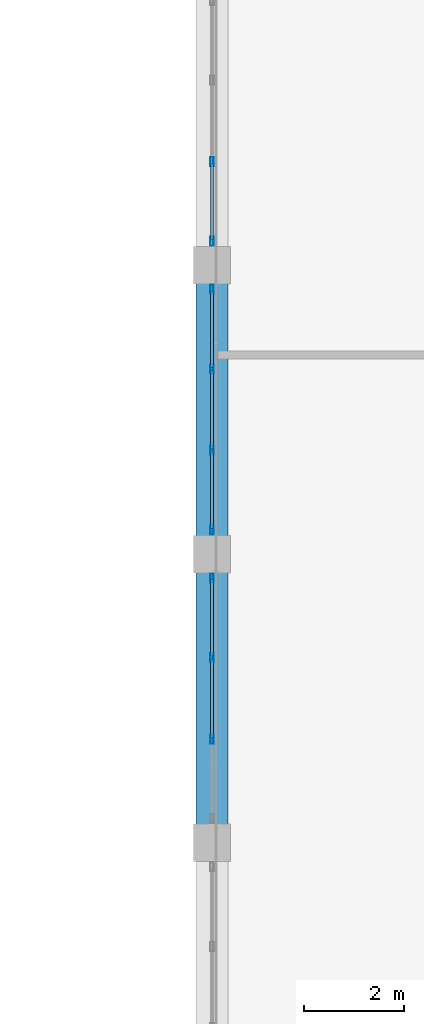
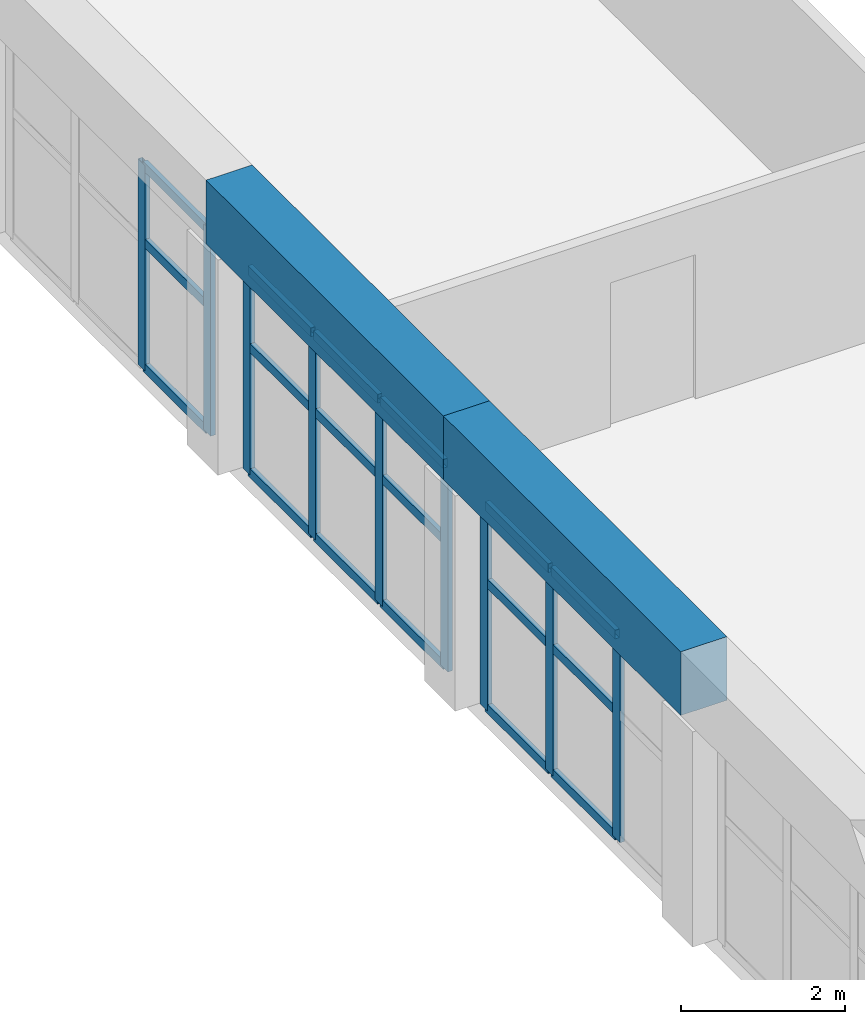
# One storey, part 30 of 128: 27 members, 2 beams, 3 elements without a shape of their own.
"""IFC4 building model written with IfcOpenShell, lengths in metres."""

from ifc_helpers import new_model, si_unit, direction, frame, origin, origin_2d, place, context, subcontext, project, spatial, rectangle, hollow_rectangle, extrude, material, material_profile, profile_set, type_object, element, aggregate, save


model = new_model("IFC4")

# Units and contexts
model_context = context("Model", 3, precision=1e-05, world=origin(), true_north=direction((0.0, 1.0)))
body_context = subcontext(model_context, "Body", "Model", "MODEL_VIEW")
ifc_project = project(units=[si_unit("LENGTHUNIT", "METRE"), si_unit("AREAUNIT", "SQUARE_METRE"), si_unit("VOLUMEUNIT", "CUBIC_METRE"), si_unit("PLANEANGLEUNIT", "RADIAN"), si_unit("MASSUNIT", "GRAM", prefix="KILO")], contexts=[model_context])

# Site, building, storey
site_placement = place(None, origin())
site = spatial("IfcSite", under=ifc_project, at=site_placement, CompositionType="ELEMENT")
building_placement = place(site_placement, origin())
building = spatial("IfcBuilding", under=site, at=building_placement, Name="Tanwirah Colonnade Gardens", CompositionType="ELEMENT")
storey_placement = place(building_placement, frame((0.0, 0.0, 4.760009765625)))
storey = spatial("IfcBuildingStorey", under=building, at=storey_placement, Name="L01", CompositionType="ELEMENT", Elevation=4.760009765625)

# Curtain wall, members
ifc_material_1 = material(Name="Bronze-anodised aluminium and solar-control low-E glass", Category="aluminium")
curtain_wall_type = type_object("IfcCurtainWallType", Name="CW-HALL", PredefinedType="NOTDEFINED", material=ifc_material_1)
curtain_wall_1_placement = place(storey_placement, origin())
curtain_wall_1 = element("IfcCurtainWall", 1, at=curtain_wall_1_placement, inside=storey, type_object=curtain_wall_type, Name="Curtain Wall CW-HALL-L01-W-3", PredefinedType="NOTDEFINED")
ifc_material_2 = material(Name="Bronze-anodised aluminium", Category="aluminium")
ifc_material_profile_1 = material_profile(ifc_material_2, hollow_rectangle(XDim=0.06494140625, YDim=0.179931640625, WallThickness=0.00390625, at=origin_2d()), Name="CW-MUL 65x180x4")
ifc_profile_set_1 = profile_set([ifc_material_profile_1], Name="Bronze-anodised aluminium")
member_type_1 = type_object("IfcMemberType", Name="CWM-65x180", PredefinedType="MULLION", material=ifc_profile_set_1)
member_1_placement = place(storey_placement, frame((78.0, 53.4833984375, 0.0), z_axis=(0.0, 0.0, 1.0), x_axis=(-1.0, 0.0, 0.0)))
member_1 = element("IfcMember", 2, at=member_1_placement, type_object=member_type_1, Name="CW-HALL mullion 2", PredefinedType="MULLION", context=body_context, shape_type="SweptSolid", body=[
    extrude(hollow_rectangle(XDim=0.06494140625, YDim=0.179931640625, WallThickness=0.00390625, at=origin_2d()), origin(), (0.0, 0.0, 1.0), 3.06005859375),
])
member_2_placement = place(storey_placement, frame((78.0, 55.11669921875, 0.0), z_axis=(0.0, 0.0, 1.0), x_axis=(-1.0, 0.0, 0.0)))
member_2 = element("IfcMember", 3, at=member_2_placement, type_object=member_type_1, Name="CW-HALL mullion 3", PredefinedType="MULLION", context=body_context, shape_type="SweptSolid", body=[
    extrude(hollow_rectangle(XDim=0.06494140625, YDim=0.179931640625, WallThickness=0.00390625, at=origin_2d()), origin(), (0.0, 0.0, 1.0), 3.06005859375),
])
member_3_placement = place(storey_placement, frame((78.0, 56.717529296875, 0.0), z_axis=(0.0, 0.0, 1.0), x_axis=(-1.0, 0.0, 0.0)))
member_3 = element("IfcMember", 4, at=member_3_placement, type_object=member_type_1, Name="CW-HALL mullion 4", PredefinedType="MULLION", context=body_context, shape_type="SweptSolid", body=[
    extrude(hollow_rectangle(XDim=0.06494140625, YDim=0.179931640625, WallThickness=0.00390625, at=origin_2d()), origin(), (0.0, 0.0, 1.0), 3.06005859375),
])

curtain_wall_2_placement = place(storey_placement, origin())
curtain_wall_2 = element("IfcCurtainWall", 5, at=curtain_wall_2_placement, inside=storey, type_object=curtain_wall_type, Name="Curtain Wall CW-HALL-L01-W-4", PredefinedType="NOTDEFINED")
member_4_placement = place(storey_placement, frame((78.0, 57.6826171875, 0.0), z_axis=(0.0, 0.0, 1.0), x_axis=(-1.0, 0.0, 0.0)))
member_4 = element("IfcMember", 6, at=member_4_placement, type_object=member_type_1, Name="CW-HALL mullion 1", PredefinedType="MULLION", context=body_context, shape_type="SweptSolid", body=[
    extrude(hollow_rectangle(XDim=0.06494140625, YDim=0.179931640625, WallThickness=0.00390625, at=origin_2d()), origin(), (0.0, 0.0, 1.0), 3.06005859375),
])
member_5_placement = place(storey_placement, frame((78.0, 59.283447265625, 0.0), z_axis=(0.0, 0.0, 1.0), x_axis=(-1.0, 0.0, 0.0)))
member_5 = element("IfcMember", 7, at=member_5_placement, type_object=member_type_1, Name="CW-HALL mullion 2", PredefinedType="MULLION", context=body_context, shape_type="SweptSolid", body=[
    extrude(hollow_rectangle(XDim=0.06494140625, YDim=0.179931640625, WallThickness=0.00390625, at=origin_2d()), origin(), (0.0, 0.0, 1.0), 3.06005859375),
])
member_6_placement = place(storey_placement, frame((78.0, 60.916748046875, 0.0), z_axis=(0.0, 0.0, 1.0), x_axis=(-1.0, 0.0, 0.0)))
member_6 = element("IfcMember", 8, at=member_6_placement, type_object=member_type_1, Name="CW-HALL mullion 3", PredefinedType="MULLION", context=body_context, shape_type="SweptSolid", body=[
    extrude(hollow_rectangle(XDim=0.06494140625, YDim=0.179931640625, WallThickness=0.00390625, at=origin_2d()), origin(), (0.0, 0.0, 1.0), 3.06005859375),
])
member_7_placement = place(storey_placement, frame((78.0, 62.517578125, 0.0), z_axis=(0.0, 0.0, 1.0), x_axis=(-1.0, 0.0, 0.0)))
member_7 = element("IfcMember", 9, at=member_7_placement, type_object=member_type_1, Name="CW-HALL mullion 4", PredefinedType="MULLION", context=body_context, shape_type="SweptSolid", body=[
    extrude(hollow_rectangle(XDim=0.06494140625, YDim=0.179931640625, WallThickness=0.00390625, at=origin_2d()), origin(), (0.0, 0.0, 1.0), 3.06005859375),
])

curtain_wall_3_placement = place(storey_placement, origin())
curtain_wall_3 = element("IfcCurtainWall", 10, at=curtain_wall_3_placement, inside=storey, type_object=curtain_wall_type, Name="Curtain Wall CW-HALL-L01-W-5", PredefinedType="NOTDEFINED")
member_8_placement = place(storey_placement, frame((78.0, 63.482421875, 0.0), z_axis=(0.0, 0.0, 1.0), x_axis=(-1.0, 0.0, 0.0)))
member_8 = element("IfcMember", 11, at=member_8_placement, type_object=member_type_1, Name="CW-HALL mullion 1", PredefinedType="MULLION", context=body_context, shape_type="SweptSolid", body=[
    extrude(hollow_rectangle(XDim=0.06494140625, YDim=0.179931640625, WallThickness=0.00390625, at=origin_2d()), origin(), (0.0, 0.0, 1.0), 3.06005859375),
])
member_9_placement = place(storey_placement, frame((78.0, 65.083251953125, 0.0), z_axis=(0.0, 0.0, 1.0), x_axis=(-1.0, 0.0, 0.0)))
member_9 = element("IfcMember", 12, at=member_9_placement, type_object=member_type_1, Name="CW-HALL mullion 2", PredefinedType="MULLION", context=body_context, shape_type="SweptSolid", body=[
    extrude(hollow_rectangle(XDim=0.06494140625, YDim=0.179931640625, WallThickness=0.00390625, at=origin_2d()), origin(), (0.0, 0.0, 1.0), 3.06005859375),
])

# Member
ifc_material_profile_2 = material_profile(ifc_material_2, hollow_rectangle(XDim=0.06494140625, YDim=0.135009765625, WallThickness=0.00390625, at=origin_2d()), Name="CW-TRN 65x135x4")
ifc_profile_set_2 = profile_set([ifc_material_profile_2], Name="Bronze-anodised aluminium")
member_type_2 = type_object("IfcMemberType", Name="CWT-65x135", PredefinedType="USERDEFINED", material=ifc_profile_set_2)
member_10_placement = place(storey_placement, frame((78.0, 53.515869140625, 0.032470703125), z_axis=(0.0, 1.0, 0.0), x_axis=(-1.0, 0.0, 0.0)))
member_10 = element("IfcMember", 13, at=member_10_placement, type_object=member_type_2, Name="CW-HALL transom 2.1", ObjectType="TRANSOM", PredefinedType="USERDEFINED", context=body_context, shape_type="SweptSolid", body=[
    extrude(hollow_rectangle(XDim=0.06494140625, YDim=0.135009765625, WallThickness=0.00390625, at=origin_2d()), origin(), (0.0, 0.0, 1.0), 1.568359375),
])

member_11_placement = place(storey_placement, frame((78.0, 53.515869140625, 1.897216796875), z_axis=(0.0, 1.0, 0.0), x_axis=(-1.0, 0.0, 0.0)))
member_11 = element("IfcMember", 14, at=member_11_placement, type_object=member_type_2, Name="CW-HALL transom 2.2", ObjectType="TRANSOM", PredefinedType="USERDEFINED", context=body_context, shape_type="SweptSolid", body=[
    extrude(hollow_rectangle(XDim=0.06494140625, YDim=0.135009765625, WallThickness=0.00390625, at=origin_2d()), origin(), (0.0, 0.0, 1.0), 1.568359375),
])

member_12_placement = place(storey_placement, frame((78.0, 53.515869140625, 3.027587890625), z_axis=(0.0, 1.0, 0.0), x_axis=(-1.0, 0.0, 0.0)))
member_12 = element("IfcMember", 15, at=member_12_placement, type_object=member_type_2, Name="CW-HALL transom 2.3", ObjectType="TRANSOM", PredefinedType="USERDEFINED", context=body_context, shape_type="SweptSolid", body=[
    extrude(hollow_rectangle(XDim=0.06494140625, YDim=0.135009765625, WallThickness=0.00390625, at=origin_2d()), origin(), (0.0, 0.0, 1.0), 1.568359375),
])

member_13_placement = place(storey_placement, frame((78.0, 55.149169921875, 0.032470703125), z_axis=(0.0, 1.0, 0.0), x_axis=(-1.0, 0.0, 0.0)))
member_13 = element("IfcMember", 16, at=member_13_placement, type_object=member_type_2, Name="CW-HALL transom 3.1", ObjectType="TRANSOM", PredefinedType="USERDEFINED", context=body_context, shape_type="SweptSolid", body=[
    extrude(hollow_rectangle(XDim=0.06494140625, YDim=0.135009765625, WallThickness=0.00390625, at=origin_2d()), origin(), (0.0, 0.0, 1.0), 1.535888671875),
])

member_14_placement = place(storey_placement, frame((78.0, 55.149169921875, 1.897216796875), z_axis=(0.0, 1.0, 0.0), x_axis=(-1.0, 0.0, 0.0)))
member_14 = element("IfcMember", 17, at=member_14_placement, type_object=member_type_2, Name="CW-HALL transom 3.2", ObjectType="TRANSOM", PredefinedType="USERDEFINED", context=body_context, shape_type="SweptSolid", body=[
    extrude(hollow_rectangle(XDim=0.06494140625, YDim=0.135009765625, WallThickness=0.00390625, at=origin_2d()), origin(), (0.0, 0.0, 1.0), 1.535888671875),
])

member_15_placement = place(storey_placement, frame((78.0, 55.149169921875, 3.027587890625), z_axis=(0.0, 1.0, 0.0), x_axis=(-1.0, 0.0, 0.0)))
member_15 = element("IfcMember", 18, at=member_15_placement, type_object=member_type_2, Name="CW-HALL transom 3.3", ObjectType="TRANSOM", PredefinedType="USERDEFINED", context=body_context, shape_type="SweptSolid", body=[
    extrude(hollow_rectangle(XDim=0.06494140625, YDim=0.135009765625, WallThickness=0.00390625, at=origin_2d()), origin(), (0.0, 0.0, 1.0), 1.535888671875),
])

aggregate(curtain_wall_1, [member_1, member_2, member_3, member_10, member_11, member_12, member_13, member_14, member_15])

member_16_placement = place(storey_placement, frame((78.0, 57.715087890625, 0.032470703125), z_axis=(0.0, 1.0, 0.0), x_axis=(-1.0, 0.0, 0.0)))
member_16 = element("IfcMember", 19, at=member_16_placement, type_object=member_type_2, Name="CW-HALL transom 1.1", ObjectType="TRANSOM", PredefinedType="USERDEFINED", context=body_context, shape_type="SweptSolid", body=[
    extrude(hollow_rectangle(XDim=0.06494140625, YDim=0.135009765625, WallThickness=0.00390625, at=origin_2d()), origin(), (0.0, 0.0, 1.0), 1.53564453125),
])

member_17_placement = place(storey_placement, frame((78.0, 57.715087890625, 1.897216796875), z_axis=(0.0, 1.0, 0.0), x_axis=(-1.0, 0.0, 0.0)))
member_17 = element("IfcMember", 20, at=member_17_placement, type_object=member_type_2, Name="CW-HALL transom 1.2", ObjectType="TRANSOM", PredefinedType="USERDEFINED", context=body_context, shape_type="SweptSolid", body=[
    extrude(hollow_rectangle(XDim=0.06494140625, YDim=0.135009765625, WallThickness=0.00390625, at=origin_2d()), origin(), (0.0, 0.0, 1.0), 1.53564453125),
])

member_18_placement = place(storey_placement, frame((78.0, 57.715087890625, 3.027587890625), z_axis=(0.0, 1.0, 0.0), x_axis=(-1.0, 0.0, 0.0)))
member_18 = element("IfcMember", 21, at=member_18_placement, type_object=member_type_2, Name="CW-HALL transom 1.3", ObjectType="TRANSOM", PredefinedType="USERDEFINED", context=body_context, shape_type="SweptSolid", body=[
    extrude(hollow_rectangle(XDim=0.06494140625, YDim=0.135009765625, WallThickness=0.00390625, at=origin_2d()), origin(), (0.0, 0.0, 1.0), 1.53564453125),
])

member_19_placement = place(storey_placement, frame((78.0, 59.31591796875, 0.032470703125), z_axis=(0.0, 1.0, 0.0), x_axis=(-1.0, 0.0, 0.0)))
member_19 = element("IfcMember", 22, at=member_19_placement, type_object=member_type_2, Name="CW-HALL transom 2.1", ObjectType="TRANSOM", PredefinedType="USERDEFINED", context=body_context, shape_type="SweptSolid", body=[
    extrude(hollow_rectangle(XDim=0.06494140625, YDim=0.135009765625, WallThickness=0.00390625, at=origin_2d()), origin(), (0.0, 0.0, 1.0), 1.568359375),
])

member_20_placement = place(storey_placement, frame((78.0, 59.31591796875, 1.897216796875), z_axis=(0.0, 1.0, 0.0), x_axis=(-1.0, 0.0, 0.0)))
member_20 = element("IfcMember", 23, at=member_20_placement, type_object=member_type_2, Name="CW-HALL transom 2.2", ObjectType="TRANSOM", PredefinedType="USERDEFINED", context=body_context, shape_type="SweptSolid", body=[
    extrude(hollow_rectangle(XDim=0.06494140625, YDim=0.135009765625, WallThickness=0.00390625, at=origin_2d()), origin(), (0.0, 0.0, 1.0), 1.568359375),
])

member_21_placement = place(storey_placement, frame((78.0, 59.31591796875, 3.027587890625), z_axis=(0.0, 1.0, 0.0), x_axis=(-1.0, 0.0, 0.0)))
member_21 = element("IfcMember", 24, at=member_21_placement, type_object=member_type_2, Name="CW-HALL transom 2.3", ObjectType="TRANSOM", PredefinedType="USERDEFINED", context=body_context, shape_type="SweptSolid", body=[
    extrude(hollow_rectangle(XDim=0.06494140625, YDim=0.135009765625, WallThickness=0.00390625, at=origin_2d()), origin(), (0.0, 0.0, 1.0), 1.568359375),
])

member_22_placement = place(storey_placement, frame((78.0, 60.94921875, 0.032470703125), z_axis=(0.0, 1.0, 0.0), x_axis=(-1.0, 0.0, 0.0)))
member_22 = element("IfcMember", 25, at=member_22_placement, type_object=member_type_2, Name="CW-HALL transom 3.1", ObjectType="TRANSOM", PredefinedType="USERDEFINED", context=body_context, shape_type="SweptSolid", body=[
    extrude(hollow_rectangle(XDim=0.06494140625, YDim=0.135009765625, WallThickness=0.00390625, at=origin_2d()), origin(), (0.0, 0.0, 1.0), 1.535888671875),
])

member_23_placement = place(storey_placement, frame((78.0, 60.94921875, 1.897216796875), z_axis=(0.0, 1.0, 0.0), x_axis=(-1.0, 0.0, 0.0)))
member_23 = element("IfcMember", 26, at=member_23_placement, type_object=member_type_2, Name="CW-HALL transom 3.2", ObjectType="TRANSOM", PredefinedType="USERDEFINED", context=body_context, shape_type="SweptSolid", body=[
    extrude(hollow_rectangle(XDim=0.06494140625, YDim=0.135009765625, WallThickness=0.00390625, at=origin_2d()), origin(), (0.0, 0.0, 1.0), 1.535888671875),
])

member_24_placement = place(storey_placement, frame((78.0, 60.94921875, 3.027587890625), z_axis=(0.0, 1.0, 0.0), x_axis=(-1.0, 0.0, 0.0)))
member_24 = element("IfcMember", 27, at=member_24_placement, type_object=member_type_2, Name="CW-HALL transom 3.3", ObjectType="TRANSOM", PredefinedType="USERDEFINED", context=body_context, shape_type="SweptSolid", body=[
    extrude(hollow_rectangle(XDim=0.06494140625, YDim=0.135009765625, WallThickness=0.00390625, at=origin_2d()), origin(), (0.0, 0.0, 1.0), 1.535888671875),
])

aggregate(curtain_wall_2, [member_4, member_5, member_6, member_7, member_16, member_17, member_18, member_19, member_20, member_21, member_22, member_23, member_24])

member_25_placement = place(storey_placement, frame((78.0, 63.514892578125, 0.032470703125), z_axis=(0.0, 1.0, 0.0), x_axis=(-1.0, 0.0, 0.0)))
member_25 = element("IfcMember", 28, at=member_25_placement, type_object=member_type_2, Name="CW-HALL transom 1.1", ObjectType="TRANSOM", PredefinedType="USERDEFINED", context=body_context, shape_type="SweptSolid", body=[
    extrude(hollow_rectangle(XDim=0.06494140625, YDim=0.135009765625, WallThickness=0.00390625, at=origin_2d()), origin(), (0.0, 0.0, 1.0), 1.535888671875),
])

member_26_placement = place(storey_placement, frame((78.0, 63.514892578125, 1.897216796875), z_axis=(0.0, 1.0, 0.0), x_axis=(-1.0, 0.0, 0.0)))
member_26 = element("IfcMember", 29, at=member_26_placement, type_object=member_type_2, Name="CW-HALL transom 1.2", ObjectType="TRANSOM", PredefinedType="USERDEFINED", context=body_context, shape_type="SweptSolid", body=[
    extrude(hollow_rectangle(XDim=0.06494140625, YDim=0.135009765625, WallThickness=0.00390625, at=origin_2d()), origin(), (0.0, 0.0, 1.0), 1.535888671875),
])

member_27_placement = place(storey_placement, frame((78.0, 63.514892578125, 3.027587890625), z_axis=(0.0, 1.0, 0.0), x_axis=(-1.0, 0.0, 0.0)))
member_27 = element("IfcMember", 30, at=member_27_placement, type_object=member_type_2, Name="CW-HALL transom 1.3", ObjectType="TRANSOM", PredefinedType="USERDEFINED", context=body_context, shape_type="SweptSolid", body=[
    extrude(hollow_rectangle(XDim=0.06494140625, YDim=0.135009765625, WallThickness=0.00390625, at=origin_2d()), origin(), (0.0, 0.0, 1.0), 1.535888671875),
])

aggregate(curtain_wall_3, [member_8, member_9, member_25, member_26, member_27])

# Beams
ifc_material_3 = material(Name="Concrete C45/55", Category="concrete")
ifc_material_profile_3 = material_profile(ifc_material_3, rectangle(XDim=0.64990234375, YDim=0.949951171875, at=origin_2d()), Name="RC-RB 650x950")
ifc_profile_set_3 = profile_set([ifc_material_profile_3], Name="Concrete C45/55")
beam_type = type_object("IfcBeamType", Name="RB-V650", PredefinedType="BEAM", material=ifc_profile_set_3)
for number, where, z_axis, x_axis, name in (
    (31, (78.0, 51.39990234375, 3.68505859375), (0.0, 1.0, 0.0), (-1.0, 0.0, 0.0), "Community Hall Vault Ring Beam W-3"),
    (32, (78.0, 57.199951171875, 3.68505859375), (0.0, 1.0, 0.0), (-1.0, 0.0, 0.0), "Community Hall Vault Ring Beam W-4"),
):
    element("IfcBeam", number, at=place(storey_placement, frame(where, z_axis=z_axis, x_axis=x_axis)), inside=storey, type_object=beam_type, Name=name, PredefinedType="BEAM", context=body_context, shape_type="SweptSolid", body=[
        extrude(rectangle(XDim=0.64990234375, YDim=0.949951171875, at=origin_2d()), origin(), (0.0, 0.0, 1.0), 5.800048828125),
    ])

save(model, "model.ifc")
